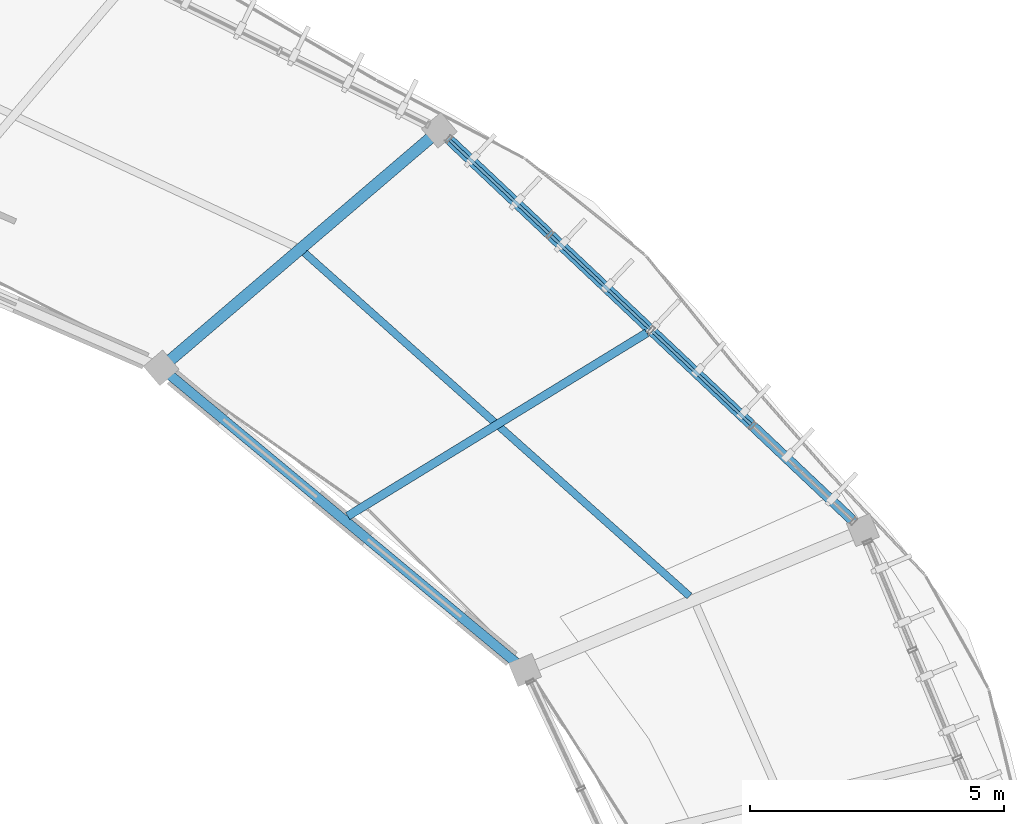
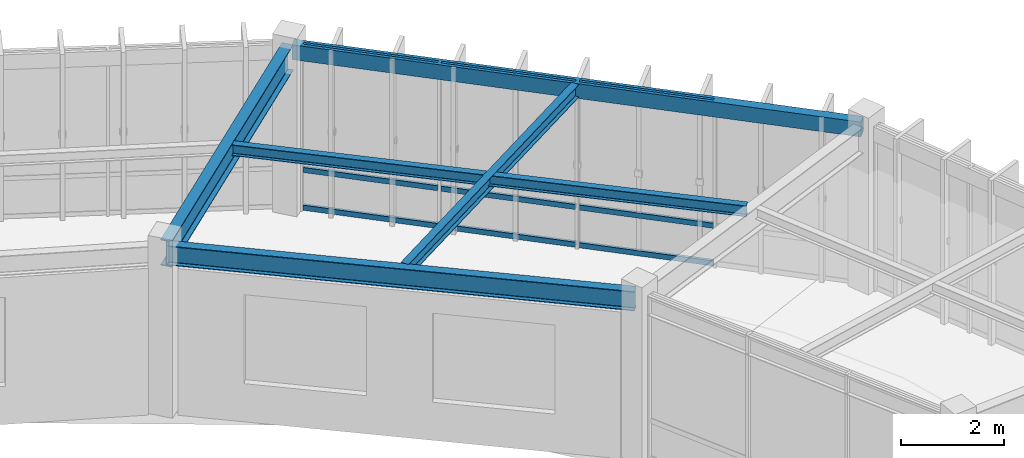
# One storey, part 55 of 78: 9 members, 5 beams, 1 element without a shape of its own.
"""IFC4 building model written with IfcOpenShell, lengths in metres."""

from ifc_helpers import new_model, si_unit, direction, frame, origin, origin_2d, place, context, subcontext, project, spatial, hollow_rectangle, i_section, extrude, material, material_profile, profile_set, type_object, element, aggregate, save


model = new_model("IFC4")

# Units and contexts
model_context = context("Model", 3, precision=1e-05, world=origin(), true_north=direction((0.0, 1.0)))
body_context = subcontext(model_context, "Body", "Model", "MODEL_VIEW")
ifc_project = project(units=[si_unit("LENGTHUNIT", "METRE"), si_unit("AREAUNIT", "SQUARE_METRE"), si_unit("VOLUMEUNIT", "CUBIC_METRE"), si_unit("PLANEANGLEUNIT", "RADIAN"), si_unit("MASSUNIT", "GRAM", prefix="KILO"), si_unit("THERMODYNAMICTEMPERATUREUNIT", "KELVIN"), si_unit("POWERUNIT", "WATT")], contexts=[model_context])

# Site, building, storey
site_placement = place(None, origin())
site = spatial("IfcSite", under=ifc_project, at=site_placement, CompositionType="ELEMENT")
building_placement = place(site_placement, origin())
building = spatial("IfcBuilding", under=site, at=building_placement, Name="Darbajah Civic Hall", CompositionType="ELEMENT")
storey_placement = place(building_placement, frame((0.0, 0.0, 26.39990234375)))
storey = spatial("IfcBuildingStorey", under=building, at=storey_placement, Name="L06", CompositionType="ELEMENT", Elevation=26.39990234375)

# Curtain wall, members
ifc_material_1 = material(Name="Anodised Bronze Aluminium and Low-E Glazing", Category="aluminium")
curtain_wall_type = type_object("IfcCurtainWallType", Name="Unitised Curtain Wall CW-86 11000x3900", PredefinedType="USERDEFINED", material=ifc_material_1)
curtain_wall_placement = place(storey_placement, origin())
curtain_wall = element("IfcCurtainWall", 1, at=curtain_wall_placement, inside=storey, type_object=curtain_wall_type, Name="L06 unitised curtain wall CW-V1O-L06-01", ObjectType="UNITISED CURTAIN WALL", PredefinedType="USERDEFINED")
ifc_material_2 = material(Name="Anodised Bronze Aluminium", Category="aluminium")
ifc_material_profile_1 = material_profile(ifc_material_2, hollow_rectangle(XDim=0.06005859375, YDim=0.1201171875, WallThickness=0.003173828125, at=origin_2d()), Name="ALU TRANSOM 60x120")
ifc_profile_set_1 = profile_set([ifc_material_profile_1], Name="Anodised Bronze Aluminium")
member_type = type_object("IfcMemberType", Name="ALU TRANSOM 60x120", PredefinedType="USERDEFINED", material=ifc_profile_set_1)
member_1_placement = place(storey_placement, frame((134.0166015625, 103.1669921875, 0.06005859375), z_axis=(-0.727200749626, 0.686424846391, 0.0), x_axis=(-0.686424846391, -0.727200749626, 0.0)))
member_1 = element("IfcMember", 2, at=member_1_placement, type_object=member_type, Name="CW-V1O-L06-01 transom 2.1", ObjectType="TRANSOM", PredefinedType="USERDEFINED", context=body_context, shape_type="SweptSolid", body=[
    extrude(hollow_rectangle(XDim=0.06005859375, YDim=0.1201171875, WallThickness=0.003173828125, at=origin_2d()), origin(), (0.0, 0.0, 1.0), 2.67041015625),
])
member_2_placement = place(storey_placement, frame((134.0166015625, 103.1669921875, 0.9501953125), z_axis=(-0.727200749626, 0.686424846391, 0.0), x_axis=(-0.686424846391, -0.727200749626, 0.0)))
member_2 = element("IfcMember", 3, at=member_2_placement, type_object=member_type, Name="CW-V1O-L06-01 transom 2.2", ObjectType="TRANSOM", PredefinedType="USERDEFINED", context=body_context, shape_type="SweptSolid", body=[
    extrude(hollow_rectangle(XDim=0.06005859375, YDim=0.1201171875, WallThickness=0.003173828125, at=origin_2d()), origin(), (0.0, 0.0, 1.0), 2.67041015625),
])
member_3_placement = place(storey_placement, frame((134.0166015625, 103.1669921875, 3.860107421875), z_axis=(-0.727200749626, 0.686424846391, 0.0), x_axis=(-0.686424846391, -0.727200749626, 0.0)))
member_3 = element("IfcMember", 4, at=member_3_placement, type_object=member_type, Name="CW-V1O-L06-01 transom 2.3", ObjectType="TRANSOM", PredefinedType="USERDEFINED", context=body_context, shape_type="SweptSolid", body=[
    extrude(hollow_rectangle(XDim=0.06005859375, YDim=0.1201171875, WallThickness=0.003173828125, at=origin_2d()), origin(), (0.0, 0.0, 1.0), 2.67041015625),
])
member_4_placement = place(storey_placement, frame((132.023681640625, 105.048095703125, 0.06005859375), z_axis=(-0.727203308923, 0.686422135054, 0.0), x_axis=(-0.686422135054, -0.727203308923, 0.0)))
member_4 = element("IfcMember", 5, at=member_4_placement, type_object=member_type, Name="CW-V1O-L06-01 transom 3.1", ObjectType="TRANSOM", PredefinedType="USERDEFINED", context=body_context, shape_type="SweptSolid", body=[
    extrude(hollow_rectangle(XDim=0.06005859375, YDim=0.1201171875, WallThickness=0.003173828125, at=origin_2d()), origin(), (0.0, 0.0, 1.0), 2.669921875),
])
member_5_placement = place(storey_placement, frame((132.023681640625, 105.048095703125, 0.9501953125), z_axis=(-0.727203308923, 0.686422135054, 0.0), x_axis=(-0.686422135054, -0.727203308923, 0.0)))
member_5 = element("IfcMember", 6, at=member_5_placement, type_object=member_type, Name="CW-V1O-L06-01 transom 3.2", ObjectType="TRANSOM", PredefinedType="USERDEFINED", context=body_context, shape_type="SweptSolid", body=[
    extrude(hollow_rectangle(XDim=0.06005859375, YDim=0.1201171875, WallThickness=0.003173828125, at=origin_2d()), origin(), (0.0, 0.0, 1.0), 2.669921875),
])
member_6_placement = place(storey_placement, frame((132.023681640625, 105.048095703125, 3.860107421875), z_axis=(-0.727203308923, 0.686422135054, 0.0), x_axis=(-0.686422135054, -0.727203308923, 0.0)))
member_6 = element("IfcMember", 7, at=member_6_placement, type_object=member_type, Name="CW-V1O-L06-01 transom 3.3", ObjectType="TRANSOM", PredefinedType="USERDEFINED", context=body_context, shape_type="SweptSolid", body=[
    extrude(hollow_rectangle(XDim=0.06005859375, YDim=0.1201171875, WallThickness=0.003173828125, at=origin_2d()), origin(), (0.0, 0.0, 1.0), 2.669921875),
])
member_7_placement = place(storey_placement, frame((130.03125, 106.9287109375, 0.06005859375), z_axis=(-0.72715766741, 0.686470484964, 0.0), x_axis=(-0.686470484964, -0.72715766741, 0.0)))
member_7 = element("IfcMember", 8, at=member_7_placement, type_object=member_type, Name="CW-V1O-L06-01 transom 4.1", ObjectType="TRANSOM", PredefinedType="USERDEFINED", context=body_context, shape_type="SweptSolid", body=[
    extrude(hollow_rectangle(XDim=0.06005859375, YDim=0.1201171875, WallThickness=0.003173828125, at=origin_2d()), origin(), (0.0, 0.0, 1.0), 2.670166015625),
])
member_8_placement = place(storey_placement, frame((130.03125, 106.9287109375, 0.9501953125), z_axis=(-0.72715766741, 0.686470484964, 0.0), x_axis=(-0.686470484964, -0.72715766741, 0.0)))
member_8 = element("IfcMember", 9, at=member_8_placement, type_object=member_type, Name="CW-V1O-L06-01 transom 4.2", ObjectType="TRANSOM", PredefinedType="USERDEFINED", context=body_context, shape_type="SweptSolid", body=[
    extrude(hollow_rectangle(XDim=0.06005859375, YDim=0.1201171875, WallThickness=0.003173828125, at=origin_2d()), origin(), (0.0, 0.0, 1.0), 2.670166015625),
])
member_9_placement = place(storey_placement, frame((130.03125, 106.9287109375, 3.860107421875), z_axis=(-0.72715766741, 0.686470484964, 0.0), x_axis=(-0.686470484964, -0.72715766741, 0.0)))
member_9 = element("IfcMember", 10, at=member_9_placement, type_object=member_type, Name="CW-V1O-L06-01 transom 4.3", ObjectType="TRANSOM", PredefinedType="USERDEFINED", context=body_context, shape_type="SweptSolid", body=[
    extrude(hollow_rectangle(XDim=0.06005859375, YDim=0.1201171875, WallThickness=0.003173828125, at=origin_2d()), origin(), (0.0, 0.0, 1.0), 2.670166015625),
])
aggregate(curtain_wall, [member_1, member_2, member_3, member_4, member_5, member_6, member_7, member_8, member_9])

# Beams
ifc_material_3 = material(Name="Steel S355JR", Category="steel")
ifc_material_profile_2 = material_profile(ifc_material_3, hollow_rectangle(XDim=0.199951171875, YDim=0.35009765625, WallThickness=0.012451171875, at=origin_2d()), Name="RHS 350x200x12.5")
ifc_profile_set_2 = profile_set([ifc_material_profile_2], Name="Steel S355JR")
beam_type_1 = type_object("IfcBeamType", Name="RHS 350x200x12.5", PredefinedType="SPANDREL", material=ifc_profile_set_2)
beam_1_placement = place(storey_placement, frame((136.15966796875, 101.14404296875, 3.7451171875), z_axis=(-0.727199990638, 0.686425650465, 0.0), x_axis=(-0.686425650465, -0.727199990638, 0.0)))
element("IfcBeam", 11, at=beam_1_placement, inside=storey, type_object=beam_type_1, Name="L06 beam SP-RHS350", PredefinedType="SPANDREL", context=body_context, shape_type="SweptSolid", body=[
    extrude(hollow_rectangle(XDim=0.199951171875, YDim=0.35009765625, WallThickness=0.012451171875, at=origin_2d()), origin(), (0.0, 0.0, 1.0), 11.3046875),
])
ifc_material_profile_3 = material_profile(ifc_material_3, i_section(OverallWidth=0.146484375, OverallDepth=0.256103515625, WebThickness=0.00634765625, FlangeThickness=0.010986328125, FilletRadius=0.007568359375, at=origin_2d()), Name="UB 254x146x37")
ifc_profile_set_3 = profile_set([ifc_material_profile_3], Name="Steel S355JR")
beam_type_2 = type_object("IfcBeamType", Name="UB 254x146x37", PredefinedType="JOIST", material=ifc_profile_set_3)
beam_2_placement = place(storey_placement, frame((132.805419921875, 99.788818359375, 3.7919921875), z_axis=(-0.746395859773, 0.665502231787, 0.0), x_axis=(-0.665502231787, -0.746395859773, 0.0)))
element("IfcBeam", 12, at=beam_2_placement, inside=storey, type_object=beam_type_2, Name="L06 beam SJ-254", PredefinedType="JOIST", context=body_context, shape_type="SweptSolid", body=[
    extrude(i_section(OverallWidth=0.146484375, OverallDepth=0.256103515625, WebThickness=0.00634765625, FlangeThickness=0.010986328125, FilletRadius=0.007568359375, at=origin_2d()), origin(), (0.0, 0.0, 1.0), 10.149658203125),
])
ifc_material_profile_4 = material_profile(ifc_material_3, i_section(OverallWidth=0.165771484375, OverallDepth=0.306640625, WebThickness=0.006591796875, FlangeThickness=0.01171875, FilletRadius=0.0087890625, at=origin_2d()), Name="UB 305x165x46")
ifc_profile_set_4 = profile_set([ifc_material_profile_4], Name="Steel S355JR")
beam_type_3 = type_object("IfcBeamType", Name="UB 305x165x46", PredefinedType="JOIST", material=ifc_profile_set_4)
beam_3_placement = place(storey_placement, frame((126.076171875, 101.363525390625, 3.766845703125), z_axis=(0.852634287744, 0.522508154351, 0.0), x_axis=(-0.522508154351, 0.852634287744, 0.0)))
element("IfcBeam", 13, at=beam_3_placement, inside=storey, type_object=beam_type_3, Name="L06 beam SJ-305", PredefinedType="JOIST", context=body_context, shape_type="SweptSolid", body=[
    extrude(i_section(OverallWidth=0.165771484375, OverallDepth=0.306640625, WebThickness=0.006591796875, FlangeThickness=0.01171875, FilletRadius=0.0087890625, at=origin_2d()), origin(), (0.0, 0.0, 1.0), 6.903564453125),
])
ifc_material_profile_5 = material_profile(ifc_material_3, i_section(OverallWidth=0.1904296875, OverallDepth=0.45703125, WebThickness=0.009033203125, FlangeThickness=0.014404296875, FilletRadius=0.01025390625, at=origin_2d()), Name="UB 457x191x74")
ifc_profile_set_5 = profile_set([ifc_material_profile_5], Name="Steel S355JR")
beam_type_4 = type_object("IfcBeamType", Name="UB 457x191x74", PredefinedType="BEAM", material=ifc_profile_set_5)
beam_4_placement = place(storey_placement, frame((129.50439453125, 98.385009765625, 3.691650390625), z_axis=(-0.769165350471, 0.63904981311, 0.0), x_axis=(-0.63904981311, -0.769165350471, 0.0)))
element("IfcBeam", 14, at=beam_4_placement, inside=storey, type_object=beam_type_4, Name="L06 beam SB-457", PredefinedType="BEAM", context=body_context, shape_type="SweptSolid", body=[
    extrude(i_section(OverallWidth=0.1904296875, OverallDepth=0.45703125, WebThickness=0.009033203125, FlangeThickness=0.014404296875, FilletRadius=0.01025390625, at=origin_2d()), origin(), (0.0, 0.0, 1.0), 9.14892578125),
])
ifc_material_profile_6 = material_profile(ifc_material_3, i_section(OverallWidth=0.228271484375, OverallDepth=0.607666015625, WebThickness=0.010986328125, FlangeThickness=0.017333984375, FilletRadius=0.0126953125, at=origin_2d()), Name="UB 610x229x113")
ifc_profile_set_6 = profile_set([ifc_material_profile_6], Name="Steel S355JR")
beam_type_5 = type_object("IfcBeamType", Name="UB 610x229x113", PredefinedType="BEAM", material=ifc_profile_set_6)
beam_5_placement = place(storey_placement, frame((122.466552734375, 104.334716796875, 3.6162109375), z_axis=(0.760413281686, 0.649439482197, 0.0), x_axis=(-0.649439482197, 0.760413281686, 0.0)))
element("IfcBeam", 15, at=beam_5_placement, inside=storey, type_object=beam_type_5, Name="L06 beam SB-610", PredefinedType="BEAM", context=body_context, shape_type="SweptSolid", body=[
    extrude(i_section(OverallWidth=0.228271484375, OverallDepth=0.607666015625, WebThickness=0.010986328125, FlangeThickness=0.017333984375, FilletRadius=0.0126953125, at=origin_2d()), origin(), (0.0, 0.0, 1.0), 7.0400390625),
])

save(model, "model.ifc")
